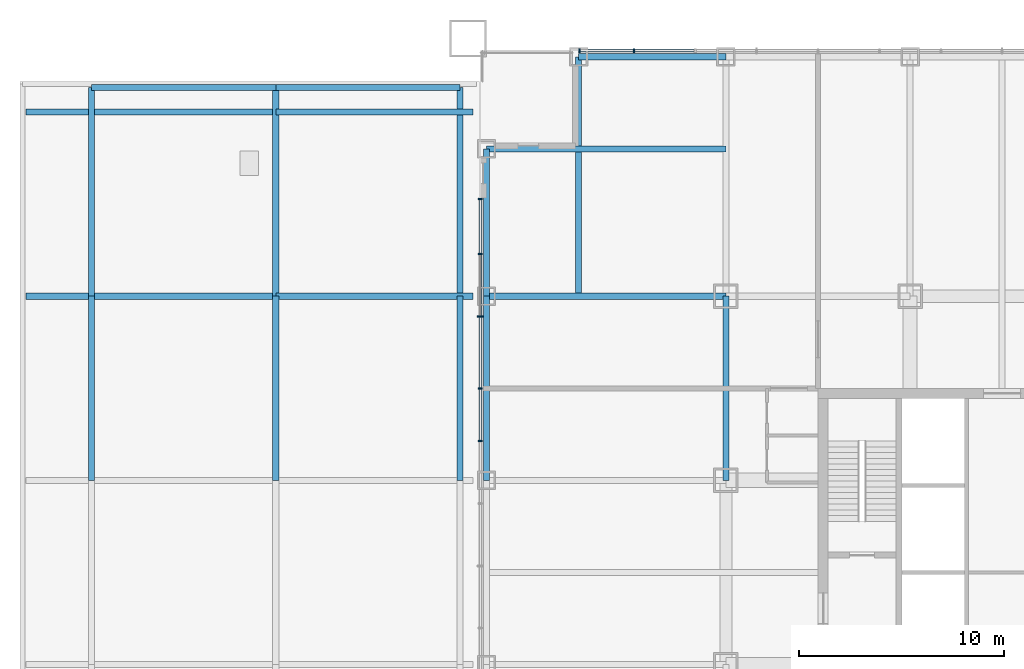
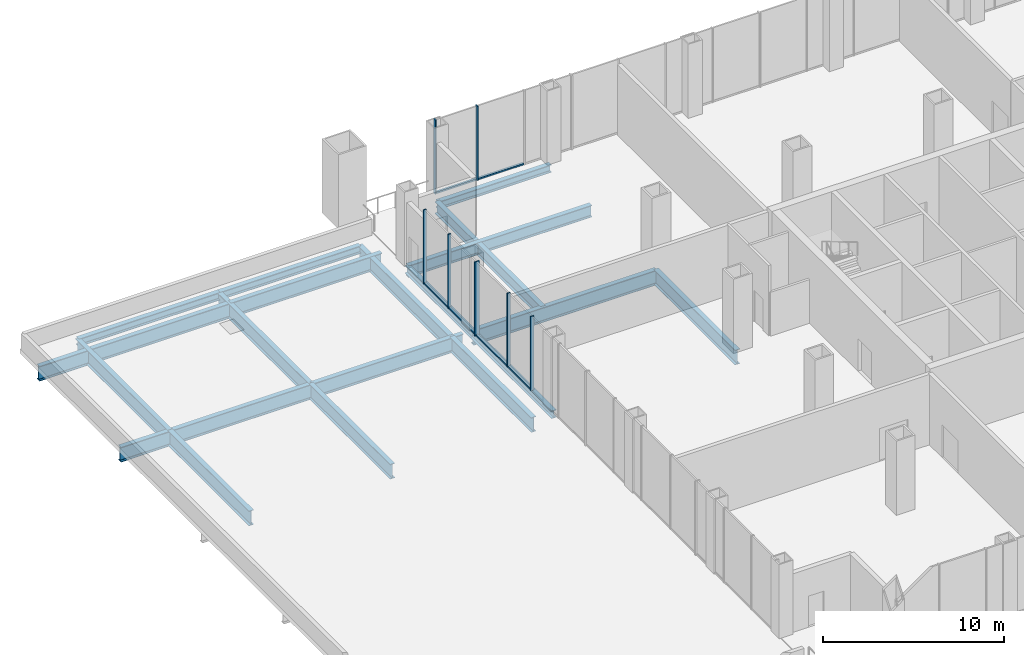
# One storey, part 6 of 16: 19 beams, 13 members, 2 elements without a shape of their own.
"""IFC4 building model written with IfcOpenShell, lengths in metres."""

from ifc_helpers import new_model, si_unit, direction, frame, origin, origin_2d, place, context, subcontext, project, spatial, rectangle, i_section, extrude, material, layer, layer_set, material_profile, profile_set, type_object, element, aggregate, save


model = new_model("IFC4")

# Units and contexts
model_context = context("Model", 3, precision=1e-05, world=origin(), true_north=direction((0.0, 1.0)))
body_context = subcontext(model_context, "Body", "Model", "MODEL_VIEW")
ifc_project = project(units=[si_unit("LENGTHUNIT", "METRE"), si_unit("AREAUNIT", "SQUARE_METRE"), si_unit("VOLUMEUNIT", "CUBIC_METRE"), si_unit("PLANEANGLEUNIT", "RADIAN"), si_unit("MASSUNIT", "GRAM", prefix="KILO")], contexts=[model_context])

# Site, building, storey
site_placement = place(None, origin())
site = spatial("IfcSite", under=ifc_project, at=site_placement, CompositionType="ELEMENT")
building_placement = place(site_placement, origin())
building = spatial("IfcBuilding", under=site, at=building_placement, Name="Malebo Sky Hospital", CompositionType="ELEMENT")
storey_placement = place(building_placement, frame((0.0, 0.0, 26.0)))
storey = spatial("IfcBuildingStorey", under=building, at=storey_placement, Name="L05", CompositionType="ELEMENT", Elevation=26.0)

# Curtain wall, members
ifc_material_1 = material(Name="Anodised aluminium, natural silver", Category="aluminium")
ifc_layer = layer(ifc_material_1, 0.25)
ifc_layer_set = layer_set([ifc_layer], Name="PLANT LOUVRE SCREEN")
curtain_wall_type = type_object("IfcCurtainWallType", Name="PLANT LOUVRE SCREEN", PredefinedType="NOTDEFINED", material=ifc_layer_set)
curtain_wall_1_placement = place(storey_placement, origin())
curtain_wall_1 = element("IfcCurtainWall", 1, at=curtain_wall_1_placement, inside=storey, type_object=curtain_wall_type, Name="PLANT curtain wall N", PredefinedType="NOTDEFINED")
ifc_material_profile_1 = material_profile(ifc_material_1, rectangle(XDim=0.14990234375, YDim=0.10009765625, at=origin_2d()), Name="ALUMINIUM TRANSOM 150x100")
ifc_profile_set_1 = profile_set([ifc_material_profile_1], Name="Anodised aluminium, natural silver")
member_type_1 = type_object("IfcMemberType", Name="ALUMINIUM TRANSOM 150x100", PredefinedType="USERDEFINED", material=ifc_profile_set_1)
member_1_placement = place(storey_placement, frame((39.375, 87.5, 0.050048828125), z_axis=(1.0, 0.0, 0.0), x_axis=(0.0, 1.0, 0.0)))
member_1 = element("IfcMember", 2, at=member_1_placement, type_object=member_type_1, Name="Transom 1", ObjectType="TRANSOM", PredefinedType="USERDEFINED", context=body_context, shape_type="SweptSolid", body=[
    extrude(rectangle(XDim=0.14990234375, YDim=0.10009765625, at=origin_2d()), origin(), (0.0, 0.0, 1.0), 2.58740234375),
])
member_2_placement = place(storey_placement, frame((42.03759765625, 87.5, 0.050048828125), z_axis=(1.0, 0.0, 0.0), x_axis=(0.0, 1.0, 0.0)))
member_2 = element("IfcMember", 3, at=member_2_placement, type_object=member_type_1, Name="Transom 2", ObjectType="TRANSOM", PredefinedType="USERDEFINED", context=body_context, shape_type="SweptSolid", body=[
    extrude(rectangle(XDim=0.14990234375, YDim=0.10009765625, at=origin_2d()), origin(), (0.0, 0.0, 1.0), 2.9248046875),
])

curtain_wall_2_placement = place(storey_placement, origin())
curtain_wall_2 = element("IfcCurtainWall", 4, at=curtain_wall_2_placement, inside=storey, type_object=curtain_wall_type, Name="PLANT curtain wall W", PredefinedType="NOTDEFINED")
member_3_placement = place(storey_placement, frame((34.5, 68.452880859375, 0.050048828125), z_axis=(0.0, 1.0, 0.0), x_axis=(-1.0, 0.0, 0.0)))
member_3 = element("IfcMember", 5, at=member_3_placement, type_object=member_type_1, Name="Transom 10", ObjectType="TRANSOM", PredefinedType="USERDEFINED", context=body_context, shape_type="SweptSolid", body=[
    extrude(rectangle(XDim=0.14990234375, YDim=0.10009765625, at=origin_2d()), origin(), (0.0, 0.0, 1.0), 2.509521484375),
])
member_4_placement = place(storey_placement, frame((34.5, 71.03759765625, 0.050048828125), z_axis=(0.0, 1.0, 0.0), x_axis=(-1.0, 0.0, 0.0)))
member_4 = element("IfcMember", 6, at=member_4_placement, type_object=member_type_1, Name="Transom 11", ObjectType="TRANSOM", PredefinedType="USERDEFINED", context=body_context, shape_type="SweptSolid", body=[
    extrude(rectangle(XDim=0.14990234375, YDim=0.10009765625, at=origin_2d()), origin(), (0.0, 0.0, 1.0), 3.4326171875),
])
member_5_placement = place(storey_placement, frame((34.5, 74.545166015625, 0.050048828125), z_axis=(0.0, 1.0, 0.0), x_axis=(-1.0, 0.0, 0.0)))
member_5 = element("IfcMember", 7, at=member_5_placement, type_object=member_type_1, Name="Transom 12", ObjectType="TRANSOM", PredefinedType="USERDEFINED", context=body_context, shape_type="SweptSolid", body=[
    extrude(rectangle(XDim=0.14990234375, YDim=0.10009765625, at=origin_2d()), origin(), (0.0, 0.0, 1.0), 2.97119140625),
])
member_6_placement = place(storey_placement, frame((34.5, 77.59130859375, 0.050048828125), z_axis=(0.0, 1.0, 0.0), x_axis=(-1.0, 0.0, 0.0)))
member_6 = element("IfcMember", 8, at=member_6_placement, type_object=member_type_1, Name="Transom 13", ObjectType="TRANSOM", PredefinedType="USERDEFINED", context=body_context, shape_type="SweptSolid", body=[
    extrude(rectangle(XDim=0.14990234375, YDim=0.10009765625, at=origin_2d()), origin(), (0.0, 0.0, 1.0), 2.6337890625),
])

# Member
ifc_material_profile_2 = material_profile(ifc_material_1, rectangle(XDim=0.074951171875, YDim=0.199951171875, at=origin_2d()), Name="CW5 ALUMINIUM FIN MULLION 75x200")
ifc_profile_set_2 = profile_set([ifc_material_profile_2], Name="Anodised aluminium, natural silver")
member_type_2 = type_object("IfcMemberType", Name="CW5 ALUMINIUM FIN MULLION 75x200", PredefinedType="MULLION", material=ifc_profile_set_2)
member_7_placement = place(storey_placement, frame((39.33740234375, 87.5, 0.0), z_axis=(0.0, 0.0, 1.0), x_axis=(1.0, 0.0, 0.0)))
member_7 = element("IfcMember", 9, at=member_7_placement, type_object=member_type_2, Name="Fin mullion 1", PredefinedType="MULLION", context=body_context, shape_type="SweptSolid", body=[
    extrude(rectangle(XDim=0.074951171875, YDim=0.199951171875, at=origin_2d()), origin(), (0.0, 0.0, 1.0), 5.0),
])

member_8_placement = place(storey_placement, frame((42.0, 87.5, 0.0), z_axis=(0.0, 0.0, 1.0), x_axis=(1.0, 0.0, 0.0)))
member_8 = element("IfcMember", 10, at=member_8_placement, type_object=member_type_2, Name="Fin mullion 2", PredefinedType="MULLION", context=body_context, shape_type="SweptSolid", body=[
    extrude(rectangle(XDim=0.074951171875, YDim=0.199951171875, at=origin_2d()), origin(), (0.0, 0.0, 1.0), 5.0),
])

aggregate(curtain_wall_1, [member_7, member_8, member_1, member_2])

member_9_placement = place(storey_placement, frame((34.5, 68.415283203125, 0.0), z_axis=(0.0, 0.0, 1.0), x_axis=(0.0, 1.0, 0.0)))
member_9 = element("IfcMember", 11, at=member_9_placement, type_object=member_type_2, Name="Fin mullion 10", PredefinedType="MULLION", context=body_context, shape_type="SweptSolid", body=[
    extrude(rectangle(XDim=0.074951171875, YDim=0.199951171875, at=origin_2d()), origin(), (0.0, 0.0, 1.0), 5.0),
])

member_10_placement = place(storey_placement, frame((34.5, 71.0, 0.0), z_axis=(0.0, 0.0, 1.0), x_axis=(0.0, 1.0, 0.0)))
member_10 = element("IfcMember", 12, at=member_10_placement, type_object=member_type_2, Name="Fin mullion 11", PredefinedType="MULLION", context=body_context, shape_type="SweptSolid", body=[
    extrude(rectangle(XDim=0.074951171875, YDim=0.199951171875, at=origin_2d()), origin(), (0.0, 0.0, 1.0), 5.0),
])

member_11_placement = place(storey_placement, frame((34.5, 77.5537109375, 0.0), z_axis=(0.0, 0.0, 1.0), x_axis=(0.0, 1.0, 0.0)))
member_11 = element("IfcMember", 13, at=member_11_placement, type_object=member_type_2, Name="Fin mullion 13", PredefinedType="MULLION", context=body_context, shape_type="SweptSolid", body=[
    extrude(rectangle(XDim=0.074951171875, YDim=0.199951171875, at=origin_2d()), origin(), (0.0, 0.0, 1.0), 5.0),
])

member_12_placement = place(storey_placement, frame((34.5, 80.262451171875, 0.0), z_axis=(0.0, 0.0, 1.0), x_axis=(0.0, 1.0, 0.0)))
member_12 = element("IfcMember", 14, at=member_12_placement, type_object=member_type_2, Name="Fin mullion 14", PredefinedType="MULLION", context=body_context, shape_type="SweptSolid", body=[
    extrude(rectangle(XDim=0.074951171875, YDim=0.199951171875, at=origin_2d()), origin(), (0.0, 0.0, 1.0), 5.0),
])

ifc_material_profile_3 = material_profile(ifc_material_1, rectangle(XDim=0.074951171875, YDim=0.300048828125, at=origin_2d()), Name="CW5 ALUMINIUM FIN MULLION 75x300")
ifc_profile_set_3 = profile_set([ifc_material_profile_3], Name="Anodised aluminium, natural silver")
member_type_3 = type_object("IfcMemberType", Name="CW5 ALUMINIUM FIN MULLION 75x300", PredefinedType="MULLION", material=ifc_profile_set_3)
member_13_placement = place(storey_placement, frame((34.5, 74.5078125, 0.0), z_axis=(0.0, 0.0, 1.0), x_axis=(0.0, 1.0, 0.0)))
member_13 = element("IfcMember", 15, at=member_13_placement, type_object=member_type_3, Name="Fin mullion 12", PredefinedType="MULLION", context=body_context, shape_type="SweptSolid", body=[
    extrude(rectangle(XDim=0.074951171875, YDim=0.300048828125, at=origin_2d()), origin(), (0.0, 0.0, 1.0), 5.0),
])

aggregate(curtain_wall_2, [member_9, member_10, member_13, member_11, member_12, member_3, member_4, member_5, member_6])

# Beams
ifc_material_2 = material(Name="Steel S355", Category="steel")
ifc_material_profile_4 = material_profile(ifc_material_2, i_section(OverallWidth=0.305908203125, OverallDepth=0.52392578125, WebThickness=0.02099609375, FlangeThickness=0.0400390625, FilletRadius=0.027099609375, at=origin_2d()), Name="HEM 500")
ifc_profile_set_4 = profile_set([ifc_material_profile_4], Name="Steel S355")
beam_type_1 = type_object("IfcBeamType", Name="EDGE BEAM HEM 500", PredefinedType="BEAM", material=ifc_profile_set_4)
beam_1_placement = place(storey_placement, frame((34.800048828125, 66.5, -0.56201171875), z_axis=(0.0, 1.0, 0.0), x_axis=(-1.0, 0.0, 0.0)))
element("IfcBeam", 16, at=beam_1_placement, inside=storey, type_object=beam_type_1, Name="Beam 003 L05", PredefinedType="BEAM", context=body_context, shape_type="SweptSolid", body=[
    extrude(i_section(OverallWidth=0.305908203125, OverallDepth=0.52392578125, WebThickness=0.02099609375, FlangeThickness=0.0400390625, FilletRadius=0.027099609375, at=origin_2d()), origin(), (0.0, 0.0, 1.0), 9.0),
])
for number, where, z_axis, x_axis, name in (
    (17, (34.800048828125, 75.5, -0.56201171875), (0.0, 1.0, 0.0), (-1.0, 0.0, 0.0), "Beam 004 L05"),
    (18, (39.300048828125, 87.199951171875, -0.56201171875), (1.0, 0.0, 0.0), (0.0, 1.0, 0.0), "Beam 063 L05"),
):
    element("IfcBeam", number, at=place(storey_placement, frame(where, z_axis=z_axis, x_axis=x_axis)), inside=storey, type_object=beam_type_1, Name=name, PredefinedType="BEAM", context=body_context, shape_type="SweptSolid", body=[
        extrude(i_section(OverallWidth=0.305908203125, OverallDepth=0.52392578125, WebThickness=0.02099609375, FlangeThickness=0.0400390625, FilletRadius=0.027099609375, at=origin_2d()), origin(), (0.0, 0.0, 1.0), 7.199951171875),
    ])
for number, where, z_axis, x_axis, name in (
    (19, (15.5, 85.699951171875, -0.56201171875), (1.0, 0.0, 0.0), (0.0, 1.0, 0.0), "Beam W030 L05"),
    (20, (24.5, 85.699951171875, -0.56201171875), (1.0, 0.0, 0.0), (0.0, 1.0, 0.0), "Beam W031 L05"),
):
    element("IfcBeam", number, at=place(storey_placement, frame(where, z_axis=z_axis, x_axis=x_axis)), inside=storey, type_object=beam_type_1, Name=name, PredefinedType="BEAM", context=body_context, shape_type="SweptSolid", body=[
        extrude(i_section(OverallWidth=0.305908203125, OverallDepth=0.52392578125, WebThickness=0.02099609375, FlangeThickness=0.0400390625, FilletRadius=0.027099609375, at=origin_2d()), origin(), (0.0, 0.0, 1.0), 9.0),
    ])
ifc_material_profile_5 = material_profile(ifc_material_2, i_section(OverallWidth=0.300048828125, OverallDepth=1.0, WebThickness=0.01904296875, FlangeThickness=0.035888671875, FilletRadius=0.030029296875, at=origin_2d()), Name="HEB 1000")
ifc_profile_set_5 = profile_set([ifc_material_profile_5], Name="Steel S355")
beam_type_2 = type_object("IfcBeamType", Name="FLOOR BEAM HEB 1000", PredefinedType="BEAM", material=ifc_profile_set_5)
for number, where, z_axis, x_axis, name in (
    (21, (46.5, 66.5, -0.800048828125), (0.0, 1.0, 0.0), (-1.0, 0.0, 0.0), "Beam 010 L05"),
    (22, (15.5, 66.5, -0.800048828125), (0.0, 1.0, 0.0), (-1.0, 0.0, 0.0), "Beam W004 L05"),
):
    element("IfcBeam", number, at=place(storey_placement, frame(where, z_axis=z_axis, x_axis=x_axis)), inside=storey, type_object=beam_type_2, Name=name, PredefinedType="BEAM", context=body_context, shape_type="SweptSolid", body=[
        extrude(i_section(OverallWidth=0.300048828125, OverallDepth=1.0, WebThickness=0.01904296875, FlangeThickness=0.035888671875, FilletRadius=0.030029296875, at=origin_2d()), origin(), (0.0, 0.0, 1.0), 9.0),
    ])
beam_2_placement = place(storey_placement, frame((15.5, 75.5, -0.800048828125), z_axis=(0.0, 1.0, 0.0), x_axis=(-1.0, 0.0, 0.0)))
element("IfcBeam", 23, at=beam_2_placement, inside=storey, type_object=beam_type_2, Name="Beam W005 L05", PredefinedType="BEAM", context=body_context, shape_type="SweptSolid", body=[
    extrude(i_section(OverallWidth=0.300048828125, OverallDepth=1.0, WebThickness=0.01904296875, FlangeThickness=0.035888671875, FilletRadius=0.030029296875, at=origin_2d()), origin(), (0.0, 0.0, 1.0), 10.199951171875),
])
beam_3_placement = place(storey_placement, frame((24.5, 66.5, -0.800048828125), z_axis=(0.0, 1.0, 0.0), x_axis=(-1.0, 0.0, 0.0)))
element("IfcBeam", 24, at=beam_3_placement, inside=storey, type_object=beam_type_2, Name="Beam W009 L05", PredefinedType="BEAM", context=body_context, shape_type="SweptSolid", body=[
    extrude(i_section(OverallWidth=0.300048828125, OverallDepth=1.0, WebThickness=0.01904296875, FlangeThickness=0.035888671875, FilletRadius=0.030029296875, at=origin_2d()), origin(), (0.0, 0.0, 1.0), 9.0),
])
beam_4_placement = place(storey_placement, frame((24.5, 75.5, -0.800048828125), z_axis=(0.0, 1.0, 0.0), x_axis=(-1.0, 0.0, 0.0)))
element("IfcBeam", 25, at=beam_4_placement, inside=storey, type_object=beam_type_2, Name="Beam W010 L05", PredefinedType="BEAM", context=body_context, shape_type="SweptSolid", body=[
    extrude(i_section(OverallWidth=0.300048828125, OverallDepth=1.0, WebThickness=0.01904296875, FlangeThickness=0.035888671875, FilletRadius=0.030029296875, at=origin_2d()), origin(), (0.0, 0.0, 1.0), 10.199951171875),
])
beam_5_placement = place(storey_placement, frame((33.5, 66.5, -0.800048828125), z_axis=(0.0, 1.0, 0.0), x_axis=(-1.0, 0.0, 0.0)))
element("IfcBeam", 26, at=beam_5_placement, inside=storey, type_object=beam_type_2, Name="Beam W014 L05", PredefinedType="BEAM", context=body_context, shape_type="SweptSolid", body=[
    extrude(i_section(OverallWidth=0.300048828125, OverallDepth=1.0, WebThickness=0.01904296875, FlangeThickness=0.035888671875, FilletRadius=0.030029296875, at=origin_2d()), origin(), (0.0, 0.0, 1.0), 9.0),
])
beam_6_placement = place(storey_placement, frame((33.5, 75.5, -0.800048828125), z_axis=(0.0, 1.0, 0.0), x_axis=(-1.0, 0.0, 0.0)))
element("IfcBeam", 27, at=beam_6_placement, inside=storey, type_object=beam_type_2, Name="Beam W015 L05", PredefinedType="BEAM", context=body_context, shape_type="SweptSolid", body=[
    extrude(i_section(OverallWidth=0.300048828125, OverallDepth=1.0, WebThickness=0.01904296875, FlangeThickness=0.035888671875, FilletRadius=0.030029296875, at=origin_2d()), origin(), (0.0, 0.0, 1.0), 10.199951171875),
])
beam_7_placement = place(storey_placement, frame((12.300048828125, 75.5, -0.800048828125), z_axis=(1.0, 0.0, 0.0), x_axis=(0.0, 1.0, 0.0)))
element("IfcBeam", 28, at=beam_7_placement, inside=storey, type_object=beam_type_2, Name="Beam W024 L05", PredefinedType="BEAM", context=body_context, shape_type="SweptSolid", body=[
    extrude(i_section(OverallWidth=0.300048828125, OverallDepth=1.0, WebThickness=0.01904296875, FlangeThickness=0.035888671875, FilletRadius=0.030029296875, at=origin_2d()), origin(), (0.0, 0.0, 1.0), 12.199951171875),
])
beam_8_placement = place(storey_placement, frame((24.5, 75.5, -0.800048828125), z_axis=(1.0, 0.0, 0.0), x_axis=(0.0, 1.0, 0.0)))
element("IfcBeam", 29, at=beam_8_placement, inside=storey, type_object=beam_type_2, Name="Beam W025 L05", PredefinedType="BEAM", context=body_context, shape_type="SweptSolid", body=[
    extrude(i_section(OverallWidth=0.300048828125, OverallDepth=1.0, WebThickness=0.01904296875, FlangeThickness=0.035888671875, FilletRadius=0.030029296875, at=origin_2d()), origin(), (0.0, 0.0, 1.0), 9.64990234375),
])
beam_9_placement = place(storey_placement, frame((12.300048828125, 84.5, -0.800048828125), z_axis=(1.0, 0.0, 0.0), x_axis=(0.0, 1.0, 0.0)))
element("IfcBeam", 30, at=beam_9_placement, inside=storey, type_object=beam_type_2, Name="Beam W026 L05", PredefinedType="BEAM", context=body_context, shape_type="SweptSolid", body=[
    extrude(i_section(OverallWidth=0.300048828125, OverallDepth=1.0, WebThickness=0.01904296875, FlangeThickness=0.035888671875, FilletRadius=0.030029296875, at=origin_2d()), origin(), (0.0, 0.0, 1.0), 12.199951171875),
])
beam_10_placement = place(storey_placement, frame((24.5, 84.5, -0.800048828125), z_axis=(1.0, 0.0, 0.0), x_axis=(0.0, 1.0, 0.0)))
element("IfcBeam", 31, at=beam_10_placement, inside=storey, type_object=beam_type_2, Name="Beam W027 L05", PredefinedType="BEAM", context=body_context, shape_type="SweptSolid", body=[
    extrude(i_section(OverallWidth=0.300048828125, OverallDepth=1.0, WebThickness=0.01904296875, FlangeThickness=0.035888671875, FilletRadius=0.030029296875, at=origin_2d()), origin(), (0.0, 0.0, 1.0), 9.64990234375),
])
ifc_material_profile_6 = material_profile(ifc_material_2, i_section(OverallWidth=0.300048828125, OverallDepth=0.800048828125, WebThickness=0.017578125, FlangeThickness=0.032958984375, FilletRadius=0.030029296875, at=origin_2d()), Name="HEB 800")
ifc_profile_set_6 = profile_set([ifc_material_profile_6], Name="Steel S355")
beam_type_3 = type_object("IfcBeamType", Name="FLOOR BEAM HEB 800", PredefinedType="BEAM", material=ifc_profile_set_6)
for number, where, z_axis, x_axis, name in (
    (32, (39.300048828125, 75.5, -0.699951171875), (0.0, 1.0, 0.0), (-1.0, 0.0, 0.0), "Beam 006 L05"),
    (33, (34.800048828125, 82.699951171875, -0.699951171875), (1.0, 0.0, 0.0), (0.0, 1.0, 0.0), "Beam 061 L05"),
):
    element("IfcBeam", number, at=place(storey_placement, frame(where, z_axis=z_axis, x_axis=x_axis)), inside=storey, type_object=beam_type_3, Name=name, PredefinedType="BEAM", context=body_context, shape_type="SweptSolid", body=[
        extrude(i_section(OverallWidth=0.300048828125, OverallDepth=0.800048828125, WebThickness=0.017578125, FlangeThickness=0.032958984375, FilletRadius=0.030029296875, at=origin_2d()), origin(), (0.0, 0.0, 1.0), 11.699951171875),
    ])
ifc_material_profile_7 = material_profile(ifc_material_2, i_section(OverallWidth=0.300048828125, OverallDepth=1.0, WebThickness=0.01904296875, FlangeThickness=0.035888671875, FilletRadius=0.030029296875, at=origin_2d()), Name="HEB 1000")
ifc_profile_set_7 = profile_set([ifc_material_profile_7], Name="Steel S355")
beam_type_4 = type_object("IfcBeamType", Name="FLOOR GIRDER HEB 1000", PredefinedType="BEAM", material=ifc_profile_set_7)
beam_11_placement = place(storey_placement, frame((34.800048828125, 75.5, -0.800048828125), z_axis=(1.0, 0.0, 0.0), x_axis=(0.0, 1.0, 0.0)))
element("IfcBeam", 34, at=beam_11_placement, inside=storey, type_object=beam_type_4, Name="Beam 056 L05", PredefinedType="BEAM", context=body_context, shape_type="SweptSolid", body=[
    extrude(i_section(OverallWidth=0.300048828125, OverallDepth=1.0, WebThickness=0.01904296875, FlangeThickness=0.035888671875, FilletRadius=0.030029296875, at=origin_2d()), origin(), (0.0, 0.0, 1.0), 11.699951171875),
])

save(model, "model.ifc")
